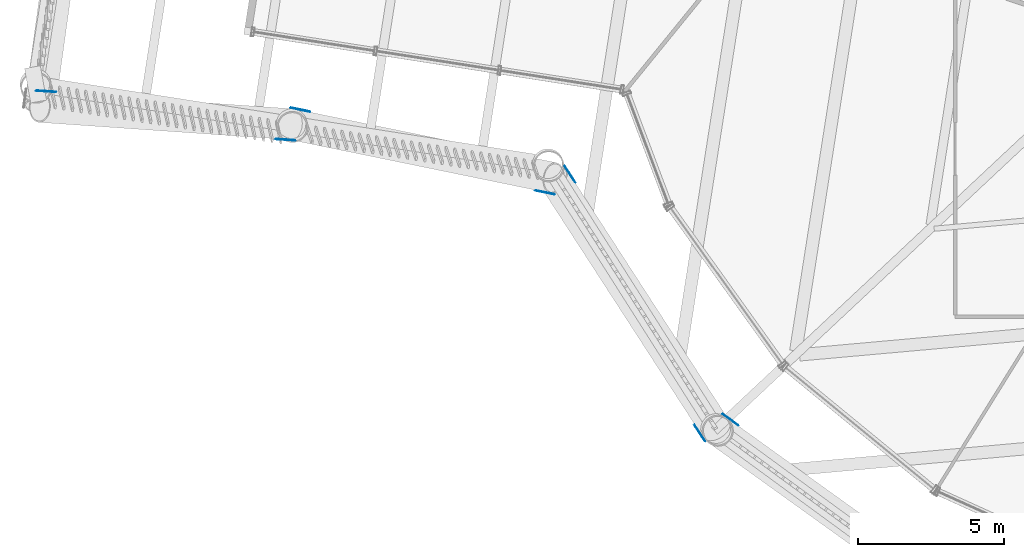
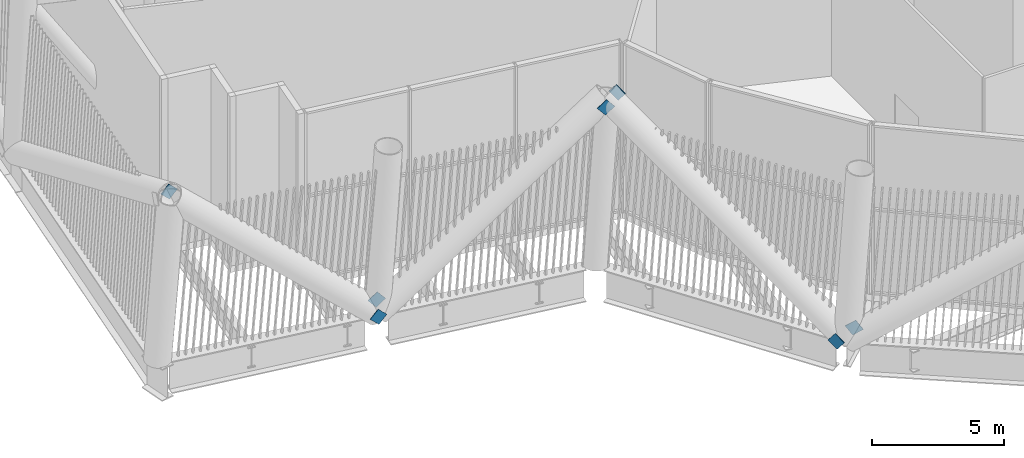
# One storey, part 34 of 55: 7 discrete accessories.
"""IFC4 building model written with IfcOpenShell, lengths in metres."""

from ifc_helpers import new_model, si_unit, direction, frame, origin, origin_2d, place, context, subcontext, project, spatial, rectangle, extrude, material, material_profile, profile_set, type_object, element, save


model = new_model("IFC4")

# Units and contexts
model_context = context("Model", 3, precision=1e-05, world=origin(), true_north=direction((0.0, 1.0)))
body_context = subcontext(model_context, "Body", "Model", "MODEL_VIEW")
ifc_project = project(units=[si_unit("LENGTHUNIT", "METRE"), si_unit("AREAUNIT", "SQUARE_METRE"), si_unit("VOLUMEUNIT", "CUBIC_METRE"), si_unit("PLANEANGLEUNIT", "RADIAN"), si_unit("MASSUNIT", "GRAM", prefix="KILO")], contexts=[model_context])

# Site, building, storey
site_placement = place(None, origin())
site = spatial("IfcSite", under=ifc_project, at=site_placement, CompositionType="ELEMENT")
building_placement = place(site_placement, origin())
building = spatial("IfcBuilding", under=site, at=building_placement, Name="Tarsis Ring Headquarters", CompositionType="ELEMENT")
storey_placement = place(building_placement, frame((0.0, 0.0, 247.199951171875)))
storey = spatial("IfcBuildingStorey", under=building, at=storey_placement, Name="L58", CompositionType="ELEMENT", Elevation=247.199951171875)

# Discrete accessories
ifc_material = material(Name="Structural steel S355", Category="steel")
ifc_material_profile = material_profile(ifc_material, rectangle(XDim=0.02490234375, YDim=0.5, at=origin_2d()), Name="PL 25x500")
ifc_profile_set = profile_set([ifc_material_profile], Name="Structural steel S355")
discrete_accessory_type = type_object("IfcDiscreteAccessoryType", Name="Gusset plate Belt truss 25", PredefinedType="BRACKET", material=ifc_profile_set)
discrete_accessory_1_placement = place(storey_placement, frame((-20.884765625, -19.412109375, 0.0), z_axis=(0.662253064533, -0.475826630744, 0.57880039391), x_axis=(0.583500393774, 0.812112855745, 0.0)))
element("IfcDiscreteAccessory", 1, at=discrete_accessory_1_placement, inside=storey, type_object=discrete_accessory_type, Name="Gusset plate GP4", PredefinedType="BRACKET", context=body_context, shape_type="SweptSolid", body=[
    extrude(rectangle(XDim=0.02490234375, YDim=0.5, at=origin_2d()), origin(), (0.0, 0.0, 1.0), 0.500244140625),
])
for number, where, z_axis, x_axis, name in (
    (2, (-35.813720703125, -9.9345703125, 0.0), (-0.733012050564, 0.050788309966, 0.678316947524), (-0.069121424668, -0.997608254102, 0.0), "Gusset plate GP4"),
    (3, (-44.38720703125, -8.247802734375, 8.0), (0.733012050564, -0.050788309966, -0.678316947524), (0.069121424668, 0.997608254102, 0.0), "Gusset plate GP4"),
    (4, (-35.666259765625, -8.855224609375, 0.0), (0.738311527297, -0.151373395147, 0.657253515702), (0.200848490892, 0.979622316868, 0.0), "Gusset plate GP4"),
    (5, (-26.898193359375, -11.76806640625, 8.0), (-0.738311527297, 0.151373395147, -0.657253515702), (-0.200848490892, -0.979622316868, 0.0), "Gusset plate GP4"),
    (6, (-21.661376953125, -20.15234375, 0.0), (-0.428690649729, 0.662078042178, 0.614717002287), (-0.839404036826, -0.543507923549, 0.0), "Gusset plate GP4"),
):
    element("IfcDiscreteAccessory", number, at=place(storey_placement, frame(where, z_axis=z_axis, x_axis=x_axis)), inside=storey, type_object=discrete_accessory_type, Name=name, PredefinedType="BRACKET", context=body_context, shape_type="SweptSolid", body=[
        extrude(rectangle(XDim=0.02490234375, YDim=0.5, at=origin_2d()), origin(), (0.0, 0.0, 1.0), 0.5),
    ])
discrete_accessory_2_placement = place(storey_placement, frame((-26.330322265625, -10.9365234375, 8.0), z_axis=(0.428819324001, -0.662276769186, -0.614413108876), x_axis=(0.839404036826, 0.543507923549, 0.0)))
element("IfcDiscreteAccessory", 7, at=discrete_accessory_2_placement, inside=storey, type_object=discrete_accessory_type, Name="Gusset plate GP4", PredefinedType="BRACKET", context=body_context, shape_type="SweptSolid", body=[
    extrude(rectangle(XDim=0.02490234375, YDim=0.5, at=origin_2d()), origin(), (0.0, 0.0, 1.0), 0.499755859375),
])

save(model, "model.ifc")
